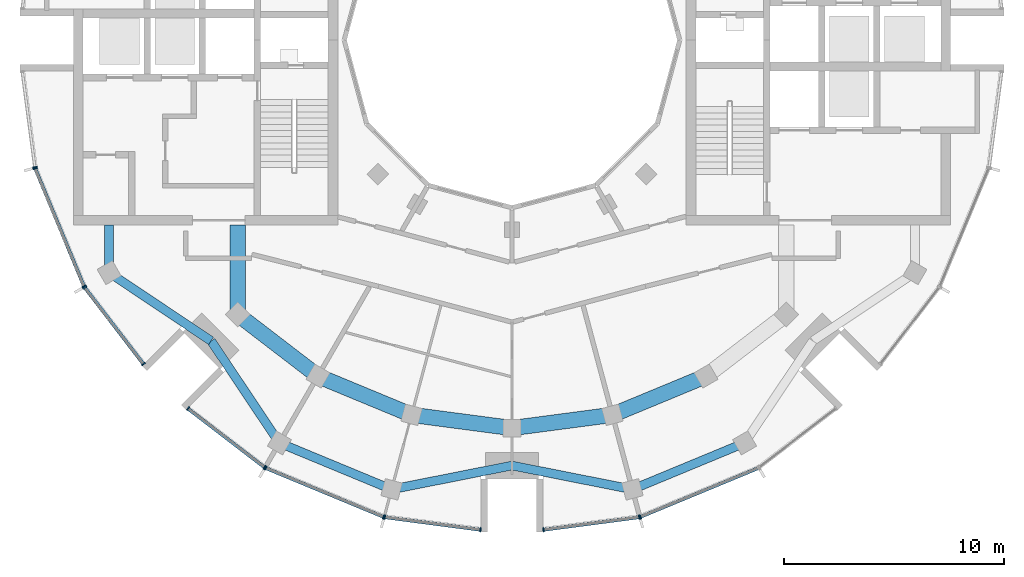
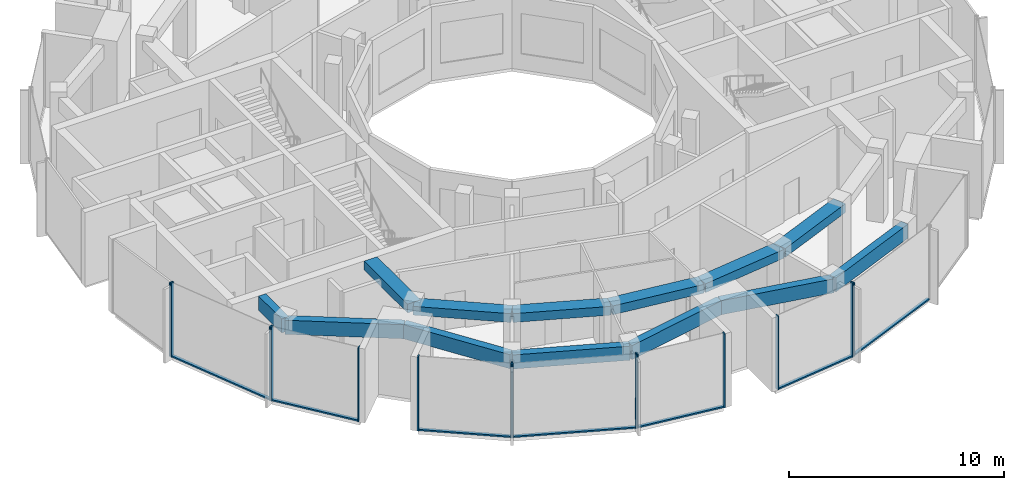
# One storey, part 2 of 13: 21 members, 13 beams, 8 elements without a shape of their own.
"""IFC4 building model written with IfcOpenShell, lengths in metres."""

from ifc_helpers import new_model, si_unit, direction, frame, origin, origin_2d, place, context, subcontext, project, spatial, rectangle, extrude, material, layer, layer_set, material_profile, profile_set, type_object, element, aggregate, save


model = new_model("IFC4")

# Units and contexts
model_context = context("Model", 3, precision=1e-05, world=origin(), true_north=direction((0.0, 1.0)))
body_context = subcontext(model_context, "Body", "Model", "MODEL_VIEW")
ifc_project = project(units=[si_unit("LENGTHUNIT", "METRE"), si_unit("AREAUNIT", "SQUARE_METRE"), si_unit("VOLUMEUNIT", "CUBIC_METRE"), si_unit("PLANEANGLEUNIT", "RADIAN"), si_unit("MASSUNIT", "GRAM", prefix="KILO")], contexts=[model_context])

# Site, building, storey
site_placement = place(None, origin())
site = spatial("IfcSite", under=ifc_project, at=site_placement, CompositionType="ELEMENT")
building_placement = place(site_placement, origin())
building = spatial("IfcBuilding", under=site, at=building_placement, Name="Torre Brocal", CompositionType="ELEMENT")
storey_placement = place(building_placement, frame((0.0, 0.0, 300.89990234375)))
storey = spatial("IfcBuildingStorey", under=building, at=storey_placement, Name="L69", CompositionType="ELEMENT", Elevation=300.89990234375)

# Curtain wall, members
ifc_material_1 = material(Name="Aluminium and glass", Category="aluminium")
ifc_layer_1 = layer(ifc_material_1, 0.199951171875)
ifc_layer_set_1 = layer_set([ifc_layer_1], Name="Aluminium and glass")
curtain_wall_type_1 = type_object("IfcCurtainWallType", Name="CW-1 CURTAIN WALL 4200 HIGH", PredefinedType="NOTDEFINED", material=ifc_layer_set_1)
curtain_wall_1_placement = place(storey_placement, origin())
curtain_wall_1 = element("IfcCurtainWall", 1, at=curtain_wall_1_placement, inside=storey, type_object=curtain_wall_type_1, Name="CW-1 RUN 14", PredefinedType="NOTDEFINED")
ifc_material_2 = material(Name="Aluminium, dark anodised", Category="aluminium")
ifc_material_profile_1 = material_profile(ifc_material_2, rectangle(XDim=0.199951171875, YDim=0.06005859375, at=origin_2d()), Name="CW-1 MULLION 60X200")
ifc_profile_set_1 = profile_set([ifc_material_profile_1], Name="Aluminium, dark anodised")
member_type_1 = type_object("IfcMemberType", Name="CW-1 MULLION 60X200", PredefinedType="MULLION", material=ifc_profile_set_1)
member_1_placement = place(storey_placement, frame((58.37548828125, 69.175048828125, 0.0), z_axis=(0.0, 0.0, 1.0), x_axis=(0.923879532545, 0.382683432284, 0.0)))
member_1 = element("IfcMember", 2, at=member_1_placement, type_object=member_type_1, Name="CW1-5 mullion 1", PredefinedType="MULLION", context=body_context, shape_type="SweptSolid", body=[
    extrude(rectangle(XDim=0.199951171875, YDim=0.06005859375, at=origin_2d()), origin(), (0.0, 0.0, 1.0), 4.2001953125),
])
member_2_placement = place(storey_placement, frame((60.59033203125, 63.828125, 0.0), z_axis=(0.0, 0.0, 1.0), x_axis=(0.923879532545, 0.382683432284, 0.0)))
member_2 = element("IfcMember", 3, at=member_2_placement, type_object=member_type_1, Name="CW1-5 mullion 2", PredefinedType="MULLION", context=body_context, shape_type="SweptSolid", body=[
    extrude(rectangle(XDim=0.199951171875, YDim=0.06005859375, at=origin_2d()), origin(), (0.0, 0.0, 1.0), 4.2001953125),
])

curtain_wall_2_placement = place(storey_placement, origin())
curtain_wall_2 = element("IfcCurtainWall", 4, at=curtain_wall_2_placement, inside=storey, type_object=curtain_wall_type_1, Name="CW-1 RUN 15", PredefinedType="NOTDEFINED")
member_3_placement = place(storey_placement, frame((60.6201171875, 63.776611328125, 0.0), z_axis=(0.0, 0.0, 1.0), x_axis=(0.793353340249, 0.608761429064, 0.0)))
member_3 = element("IfcMember", 5, at=member_3_placement, type_object=member_type_1, Name="CW1-5 mullion 1", PredefinedType="MULLION", context=body_context, shape_type="SweptSolid", body=[
    extrude(rectangle(XDim=0.199951171875, YDim=0.06005859375, at=origin_2d()), origin(), (0.0, 0.0, 1.0), 4.2001953125),
])
member_4_placement = place(storey_placement, frame((63.283447265625, 60.305419921875, 0.0), z_axis=(0.0, 0.0, 1.0), x_axis=(0.793353340249, 0.608761429064, 0.0)))
member_4 = element("IfcMember", 6, at=member_4_placement, type_object=member_type_1, Name="CW1-5 mullion 2", PredefinedType="MULLION", context=body_context, shape_type="SweptSolid", body=[
    extrude(rectangle(XDim=0.199951171875, YDim=0.06005859375, at=origin_2d()), origin(), (0.0, 0.0, 1.0), 4.2001953125),
])

curtain_wall_3_placement = place(storey_placement, origin())
curtain_wall_3 = element("IfcCurtainWall", 7, at=curtain_wall_3_placement, inside=storey, type_object=curtain_wall_type_1, Name="CW-1 RUN 16", PredefinedType="NOTDEFINED")
member_5_placement = place(storey_placement, frame((65.305419921875, 58.283447265625, 0.0), z_axis=(0.0, 0.0, 1.0), x_axis=(0.608761429064, 0.793353340249, 0.0)))
member_5 = element("IfcMember", 8, at=member_5_placement, type_object=member_type_1, Name="CW1-5 mullion 1", PredefinedType="MULLION", context=body_context, shape_type="SweptSolid", body=[
    extrude(rectangle(XDim=0.199951171875, YDim=0.06005859375, at=origin_2d()), origin(), (0.0, 0.0, 1.0), 4.2001953125),
])
member_6_placement = place(storey_placement, frame((68.776611328125, 55.6201171875, 0.0), z_axis=(0.0, 0.0, 1.0), x_axis=(0.608761429064, 0.793353340249, 0.0)))
member_6 = element("IfcMember", 9, at=member_6_placement, type_object=member_type_1, Name="CW1-5 mullion 2", PredefinedType="MULLION", context=body_context, shape_type="SweptSolid", body=[
    extrude(rectangle(XDim=0.199951171875, YDim=0.06005859375, at=origin_2d()), origin(), (0.0, 0.0, 1.0), 4.2001953125),
])

curtain_wall_4_placement = place(storey_placement, origin())
curtain_wall_4 = element("IfcCurtainWall", 10, at=curtain_wall_4_placement, inside=storey, type_object=curtain_wall_type_1, Name="CW-1 RUN 17", PredefinedType="NOTDEFINED")
member_7_placement = place(storey_placement, frame((68.828125, 55.59033203125, 0.0), z_axis=(0.0, 0.0, 1.0), x_axis=(0.382683432284, 0.923879532545, 0.0)))
member_7 = element("IfcMember", 11, at=member_7_placement, type_object=member_type_1, Name="CW1-5 mullion 1", PredefinedType="MULLION", context=body_context, shape_type="SweptSolid", body=[
    extrude(rectangle(XDim=0.199951171875, YDim=0.06005859375, at=origin_2d()), origin(), (0.0, 0.0, 1.0), 4.2001953125),
])
member_8_placement = place(storey_placement, frame((74.175048828125, 53.37548828125, 0.0), z_axis=(0.0, 0.0, 1.0), x_axis=(0.382683432284, 0.923879532545, 0.0)))
member_8 = element("IfcMember", 12, at=member_8_placement, type_object=member_type_1, Name="CW1-5 mullion 2", PredefinedType="MULLION", context=body_context, shape_type="SweptSolid", body=[
    extrude(rectangle(XDim=0.199951171875, YDim=0.06005859375, at=origin_2d()), origin(), (0.0, 0.0, 1.0), 4.2001953125),
])

curtain_wall_5_placement = place(storey_placement, origin())
curtain_wall_5 = element("IfcCurtainWall", 13, at=curtain_wall_5_placement, inside=storey, type_object=curtain_wall_type_1, Name="CW-1 RUN 18", PredefinedType="NOTDEFINED")
member_9_placement = place(storey_placement, frame((74.232421875, 53.360107421875, 0.0), z_axis=(0.0, 0.0, 1.0), x_axis=(0.13052619222, 0.991444861374, 0.0)))
member_9 = element("IfcMember", 14, at=member_9_placement, type_object=member_type_1, Name="CW1-5 mullion 1", PredefinedType="MULLION", context=body_context, shape_type="SweptSolid", body=[
    extrude(rectangle(XDim=0.199951171875, YDim=0.06005859375, at=origin_2d()), origin(), (0.0, 0.0, 1.0), 4.2001953125),
])
member_10_placement = place(storey_placement, frame((78.5703125, 52.7890625, 0.0), z_axis=(0.0, 0.0, 1.0), x_axis=(0.13052619222, 0.991444861374, 0.0)))
member_10 = element("IfcMember", 15, at=member_10_placement, type_object=member_type_1, Name="CW1-5 mullion 2", PredefinedType="MULLION", context=body_context, shape_type="SweptSolid", body=[
    extrude(rectangle(XDim=0.199951171875, YDim=0.06005859375, at=origin_2d()), origin(), (0.0, 0.0, 1.0), 4.2001953125),
])

curtain_wall_6_placement = place(storey_placement, origin())
curtain_wall_6 = element("IfcCurtainWall", 16, at=curtain_wall_6_placement, inside=storey, type_object=curtain_wall_type_1, Name="CW-1 RUN 19", PredefinedType="NOTDEFINED")
member_11_placement = place(storey_placement, frame((81.4296875, 52.7890625, 0.0), z_axis=(0.0, 0.0, 1.0), x_axis=(-0.13052619222, 0.991444861374, 0.0)))
member_11 = element("IfcMember", 17, at=member_11_placement, type_object=member_type_1, Name="CW1-5 mullion 1", PredefinedType="MULLION", context=body_context, shape_type="SweptSolid", body=[
    extrude(rectangle(XDim=0.199951171875, YDim=0.06005859375, at=origin_2d()), origin(), (0.0, 0.0, 1.0), 4.2001953125),
])
member_12_placement = place(storey_placement, frame((85.767578125, 53.360107421875, 0.0), z_axis=(0.0, 0.0, 1.0), x_axis=(-0.13052619222, 0.991444861374, 0.0)))
member_12 = element("IfcMember", 18, at=member_12_placement, type_object=member_type_1, Name="CW1-5 mullion 2", PredefinedType="MULLION", context=body_context, shape_type="SweptSolid", body=[
    extrude(rectangle(XDim=0.199951171875, YDim=0.06005859375, at=origin_2d()), origin(), (0.0, 0.0, 1.0), 4.2001953125),
])

# Curtain wall, member
curtain_wall_7_placement = place(storey_placement, origin())
curtain_wall_7 = element("IfcCurtainWall", 19, at=curtain_wall_7_placement, inside=storey, type_object=curtain_wall_type_1, Name="CW-1 RUN 20", PredefinedType="NOTDEFINED")
member_13_placement = place(storey_placement, frame((85.824951171875, 53.37548828125, 0.0), z_axis=(0.0, 0.0, 1.0), x_axis=(-0.382683432284, 0.923879532545, 0.0)))
member_13 = element("IfcMember", 20, at=member_13_placement, type_object=member_type_1, Name="CW1-5 mullion 1", PredefinedType="MULLION", context=body_context, shape_type="SweptSolid", body=[
    extrude(rectangle(XDim=0.199951171875, YDim=0.06005859375, at=origin_2d()), origin(), (0.0, 0.0, 1.0), 4.2001953125),
])

# Member
ifc_material_3 = material(Name="Aluminium, dark anodised", Category="aluminium")
ifc_material_profile_2 = material_profile(ifc_material_3, rectangle(XDim=0.159912109375, YDim=0.080078125, at=origin_2d()), Name="CW-1 TRANSOM 160X80")
ifc_profile_set_2 = profile_set([ifc_material_profile_2], Name="Aluminium, dark anodised")
member_type_2 = type_object("IfcMemberType", Name="CW-1 TRANSOM 160X80", PredefinedType="USERDEFINED", material=ifc_profile_set_2)
member_14_placement = place(storey_placement, frame((58.386962890625, 69.147216796875, 0.0400390625), z_axis=(0.382710701355, -0.923868236854, 0.0), x_axis=(0.923868236854, 0.382710701355, 0.0)))
member_14 = element("IfcMember", 21, at=member_14_placement, type_object=member_type_2, Name="CW1-5 transom 1.1", ObjectType="TRANSOM", PredefinedType="USERDEFINED", context=body_context, shape_type="SweptSolid", body=[
    extrude(rectangle(XDim=0.159912109375, YDim=0.080078125, at=origin_2d()), origin(), (0.0, 0.0, 1.0), 5.727294921875),
])

aggregate(curtain_wall_1, [member_1, member_2, member_14])

member_15_placement = place(storey_placement, frame((60.63818359375, 63.7529296875, 0.0400390625), z_axis=(0.608788976677, -0.793332201462, 0.0), x_axis=(0.793332201462, 0.608788976677, 0.0)))
member_15 = element("IfcMember", 22, at=member_15_placement, type_object=member_type_2, Name="CW1-5 transom 1.1", ObjectType="TRANSOM", PredefinedType="USERDEFINED", context=body_context, shape_type="SweptSolid", body=[
    extrude(rectangle(XDim=0.159912109375, YDim=0.080078125, at=origin_2d()), origin(), (0.0, 0.0, 1.0), 4.3154296875),
])

aggregate(curtain_wall_2, [member_3, member_4, member_15])

member_16_placement = place(storey_placement, frame((65.329345703125, 58.265380859375, 0.0400390625), z_axis=(0.793332201462, -0.608788976677, 0.0), x_axis=(0.608788976677, 0.793332201462, 0.0)))
member_16 = element("IfcMember", 23, at=member_16_placement, type_object=member_type_2, Name="CW1-5 transom 1.1", ObjectType="TRANSOM", PredefinedType="USERDEFINED", context=body_context, shape_type="SweptSolid", body=[
    extrude(rectangle(XDim=0.159912109375, YDim=0.080078125, at=origin_2d()), origin(), (0.0, 0.0, 1.0), 4.3154296875),
])

aggregate(curtain_wall_3, [member_5, member_6, member_16])

member_17_placement = place(storey_placement, frame((68.85595703125, 55.578857421875, 0.0400390625), z_axis=(0.923868236854, -0.382710701355, 0.0), x_axis=(0.382710701355, 0.923868236854, 0.0)))
member_17 = element("IfcMember", 24, at=member_17_placement, type_object=member_type_2, Name="CW1-5 transom 1.1", ObjectType="TRANSOM", PredefinedType="USERDEFINED", context=body_context, shape_type="SweptSolid", body=[
    extrude(rectangle(XDim=0.159912109375, YDim=0.080078125, at=origin_2d()), origin(), (0.0, 0.0, 1.0), 5.727294921875),
])

aggregate(curtain_wall_4, [member_7, member_8, member_17])

member_18_placement = place(storey_placement, frame((74.26220703125, 53.356201171875, 0.0400390625), z_axis=(0.991445435136, -0.130521833991, 0.0), x_axis=(0.130521833991, 0.991445435136, 0.0)))
member_18 = element("IfcMember", 25, at=member_18_placement, type_object=member_type_2, Name="CW1-5 transom 1.1", ObjectType="TRANSOM", PredefinedType="USERDEFINED", context=body_context, shape_type="SweptSolid", body=[
    extrude(rectangle(XDim=0.159912109375, YDim=0.080078125, at=origin_2d()), origin(), (0.0, 0.0, 1.0), 4.315185546875),
])

aggregate(curtain_wall_5, [member_9, member_10, member_18])

member_19_placement = place(storey_placement, frame((81.45947265625, 52.79296875, 0.0400390625), z_axis=(0.991445435136, 0.130521833991, 0.0), x_axis=(-0.130521833991, 0.991445435136, 0.0)))
member_19 = element("IfcMember", 26, at=member_19_placement, type_object=member_type_2, Name="CW1-5 transom 1.1", ObjectType="TRANSOM", PredefinedType="USERDEFINED", context=body_context, shape_type="SweptSolid", body=[
    extrude(rectangle(XDim=0.159912109375, YDim=0.080078125, at=origin_2d()), origin(), (0.0, 0.0, 1.0), 4.315185546875),
])

aggregate(curtain_wall_6, [member_11, member_12, member_19])

member_20_placement = place(storey_placement, frame((85.852783203125, 53.386962890625, 0.0400390625), z_axis=(0.923868236854, 0.382710701355, 0.0), x_axis=(-0.382710701355, 0.923868236854, 0.0)))
member_20 = element("IfcMember", 27, at=member_20_placement, type_object=member_type_2, Name="CW1-5 transom 1.1", ObjectType="TRANSOM", PredefinedType="USERDEFINED", context=body_context, shape_type="SweptSolid", body=[
    extrude(rectangle(XDim=0.159912109375, YDim=0.080078125, at=origin_2d()), origin(), (0.0, 0.0, 1.0), 5.727294921875),
])

aggregate(curtain_wall_7, [member_13, member_20])

# Curtain wall, member
ifc_material_4 = material(Name="Aluminium and glass", Category="aluminium")
ifc_layer_2 = layer(ifc_material_4, 0.199951171875)
ifc_layer_set_2 = layer_set([ifc_layer_2], Name="Aluminium and glass")
curtain_wall_type_2 = type_object("IfcCurtainWallType", Name="CW-1B CURTAIN WALL 4200 HIGH", PredefinedType="NOTDEFINED", material=ifc_layer_set_2)
curtain_wall_8_placement = place(storey_placement, origin())
curtain_wall_8 = element("IfcCurtainWall", 28, at=curtain_wall_8_placement, inside=storey, type_object=curtain_wall_type_2, Name="CW-1B RUN 13", PredefinedType="NOTDEFINED")
ifc_material_5 = material(Name="Aluminium, dark anodised", Category="aluminium")
ifc_material_profile_3 = material_profile(ifc_material_5, rectangle(XDim=0.199951171875, YDim=0.06005859375, at=origin_2d()), Name="CW-1B MULLION 60X200")
ifc_profile_set_3 = profile_set([ifc_material_profile_3], Name="Aluminium, dark anodised")
member_type_3 = type_object("IfcMemberType", Name="CW-1B MULLION 60X200", PredefinedType="MULLION", material=ifc_profile_set_3)
member_21_placement = place(storey_placement, frame((58.360107421875, 69.232421875, 0.0), z_axis=(0.0, 0.0, 1.0), x_axis=(0.991444861374, 0.13052619222, 0.0)))
member_21 = element("IfcMember", 29, at=member_21_placement, type_object=member_type_3, Name="CW1B-5 mullion 2", PredefinedType="MULLION", context=body_context, shape_type="SweptSolid", body=[
    extrude(rectangle(XDim=0.199951171875, YDim=0.06005859375, at=origin_2d()), origin(), (0.0, 0.0, 1.0), 4.2001953125),
])
aggregate(curtain_wall_8, [member_21])

# Beams
ifc_material_6 = material(Name="Concrete C50", Category="concrete")
ifc_material_profile_4 = material_profile(ifc_material_6, rectangle(XDim=0.699951171875, YDim=0.5, at=origin_2d()), Name="RC 700X500")
ifc_profile_set_4 = profile_set([ifc_material_profile_4], Name="Concrete C50")
beam_type_1 = type_object("IfcBeamType", Name="RC BEAM 700X500 C50 TOP 3880", PredefinedType="BEAM", material=ifc_profile_set_4)
beam_1_placement = place(storey_placement, frame((67.554931640625, 62.554931640625, 3.630126953125), z_axis=(0.0, 1.0, 0.0), x_axis=(-1.0, 0.0, 0.0)))
element("IfcBeam", 30, at=beam_1_placement, inside=storey, type_object=beam_type_1, Name="Beam BT-37", PredefinedType="BEAM", context=body_context, shape_type="SweptSolid", body=[
    extrude(rectangle(XDim=0.699951171875, YDim=0.5, at=origin_2d()), origin(), (0.0, 0.0, 1.0), 4.045166015625),
])
beam_2_placement = place(storey_placement, frame((67.554931640625, 62.554931640625, 3.630126953125), z_axis=(0.793358265959, -0.6087550097, 0.0), x_axis=(0.6087550097, 0.793358265959, 0.0)))
element("IfcBeam", 31, at=beam_2_placement, inside=storey, type_object=beam_type_1, Name="Beam BT-37", PredefinedType="BEAM", context=body_context, shape_type="SweptSolid", body=[
    extrude(rectangle(XDim=0.699951171875, YDim=0.5, at=origin_2d()), origin(), (0.0, 0.0, 1.0), 4.594482421875),
])
beam_3_placement = place(storey_placement, frame((71.199951171875, 59.758056640625, 3.630126953125), z_axis=(0.923878240166, -0.382686552348, 0.0), x_axis=(0.382686552348, 0.923878240166, 0.0)))
element("IfcBeam", 32, at=beam_3_placement, inside=storey, type_object=beam_type_1, Name="Beam BT-37", PredefinedType="BEAM", context=body_context, shape_type="SweptSolid", body=[
    extrude(rectangle(XDim=0.699951171875, YDim=0.5, at=origin_2d()), origin(), (0.0, 0.0, 1.0), 4.5947265625),
])
for number, where, z_axis, x_axis, name in (
    (33, (75.44482421875, 57.999755859375, 3.630126953125), (0.991440544449, -0.130558978332, 0.0), (0.130558978332, 0.991440544449, 0.0), "Beam BT-37"),
    (34, (80.0, 57.39990234375, 3.630126953125), (0.991440544449, 0.130558978332, 0.0), (-0.130558978332, 0.991440544449, 0.0), "Beam BT-37"),
):
    element("IfcBeam", number, at=place(storey_placement, frame(where, z_axis=z_axis, x_axis=x_axis)), inside=storey, type_object=beam_type_1, Name=name, PredefinedType="BEAM", context=body_context, shape_type="SweptSolid", body=[
        extrude(rectangle(XDim=0.699951171875, YDim=0.5, at=origin_2d()), origin(), (0.0, 0.0, 1.0), 4.594482421875),
    ])
beam_4_placement = place(storey_placement, frame((84.55517578125, 57.999755859375, 3.630126953125), z_axis=(0.923878240166, 0.382686552348, 0.0), x_axis=(-0.382686552348, 0.923878240166, 0.0)))
element("IfcBeam", 35, at=beam_4_placement, inside=storey, type_object=beam_type_1, Name="Beam BT-37", PredefinedType="BEAM", context=body_context, shape_type="SweptSolid", body=[
    extrude(rectangle(XDim=0.699951171875, YDim=0.5, at=origin_2d()), origin(), (0.0, 0.0, 1.0), 4.5947265625),
])
ifc_material_7 = material(Name="Concrete C50", Category="concrete")
ifc_material_profile_5 = material_profile(ifc_material_7, rectangle(XDim=0.39990234375, YDim=0.800048828125, at=origin_2d()), Name="RC 400X800")
ifc_profile_set_5 = profile_set([ifc_material_profile_5], Name="Concrete C50")
beam_type_2 = type_object("IfcBeamType", Name="RC SPANDREL BEAM 400X800 C50 TOP 3880", PredefinedType="SPANDREL", material=ifc_profile_set_5)
beam_5_placement = place(storey_placement, frame((61.726806640625, 64.449951171875, 3.47998046875), z_axis=(0.0, 1.0, 0.0), x_axis=(-1.0, 0.0, 0.0)))
element("IfcBeam", 36, at=beam_5_placement, inside=storey, type_object=beam_type_2, Name="Beam BT-47", PredefinedType="SPANDREL", context=body_context, shape_type="SweptSolid", body=[
    extrude(rectangle(XDim=0.39990234375, YDim=0.800048828125, at=origin_2d()), origin(), (0.0, 0.0, 1.0), 2.150146484375),
])
for number, where, z_axis, x_axis, name in (
    (37, (61.726806640625, 64.449951171875, 3.47998046875), (0.830955689206, -0.556338604247, 0.0), (0.556338604247, 0.830955689206, 0.0), "Beam BT-47"),
    (38, (66.352783203125, 61.352783203125, 3.47998046875), (0.556338604247, -0.830955689206, 0.0), (0.830955689206, 0.556338604247, 0.0), "Beam BT-47"),
):
    element("IfcBeam", number, at=place(storey_placement, frame(where, z_axis=z_axis, x_axis=x_axis)), inside=storey, type_object=beam_type_2, Name=name, PredefinedType="SPANDREL", context=body_context, shape_type="SweptSolid", body=[
        extrude(rectangle(XDim=0.39990234375, YDim=0.800048828125, at=origin_2d()), origin(), (0.0, 0.0, 1.0), 5.567138671875),
    ])
beam_6_placement = place(storey_placement, frame((69.449951171875, 56.726806640625, 3.47998046875), z_axis=(0.923877456038, -0.382688445377, 0.0), x_axis=(0.382688445377, 0.923877456038, 0.0)))
element("IfcBeam", 39, at=beam_6_placement, inside=storey, type_object=beam_type_2, Name="Beam BT-47", PredefinedType="SPANDREL", context=body_context, shape_type="SweptSolid", body=[
    extrude(rectangle(XDim=0.39990234375, YDim=0.800048828125, at=origin_2d()), origin(), (0.0, 0.0, 1.0), 5.508056640625),
])
for number, where, z_axis, x_axis, name in (
    (40, (74.538818359375, 54.618896484375, 3.47998046875), (0.980965024419, 0.194184502129, 0.0), (-0.194184502129, 0.980965024419, 0.0), "Beam BT-47"),
    (41, (80.0, 55.699951171875, 3.47998046875), (0.980965024419, -0.194184502129, 0.0), (0.194184502129, 0.980965024419, 0.0), "Beam BT-47"),
):
    element("IfcBeam", number, at=place(storey_placement, frame(where, z_axis=z_axis, x_axis=x_axis)), inside=storey, type_object=beam_type_2, Name=name, PredefinedType="SPANDREL", context=body_context, shape_type="SweptSolid", body=[
        extrude(rectangle(XDim=0.39990234375, YDim=0.800048828125, at=origin_2d()), origin(), (0.0, 0.0, 1.0), 5.567138671875),
    ])
beam_7_placement = place(storey_placement, frame((85.461181640625, 54.618896484375, 3.47998046875), z_axis=(0.923877456038, 0.382688445377, 0.0), x_axis=(-0.382688445377, 0.923877456038, 0.0)))
element("IfcBeam", 42, at=beam_7_placement, inside=storey, type_object=beam_type_2, Name="Beam BT-47", PredefinedType="SPANDREL", context=body_context, shape_type="SweptSolid", body=[
    extrude(rectangle(XDim=0.39990234375, YDim=0.800048828125, at=origin_2d()), origin(), (0.0, 0.0, 1.0), 5.508056640625),
])

save(model, "model.ifc")
